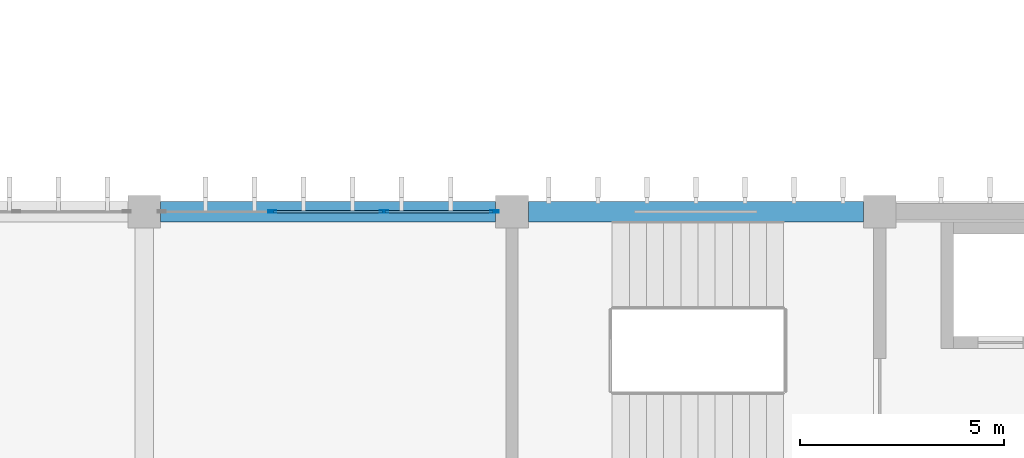
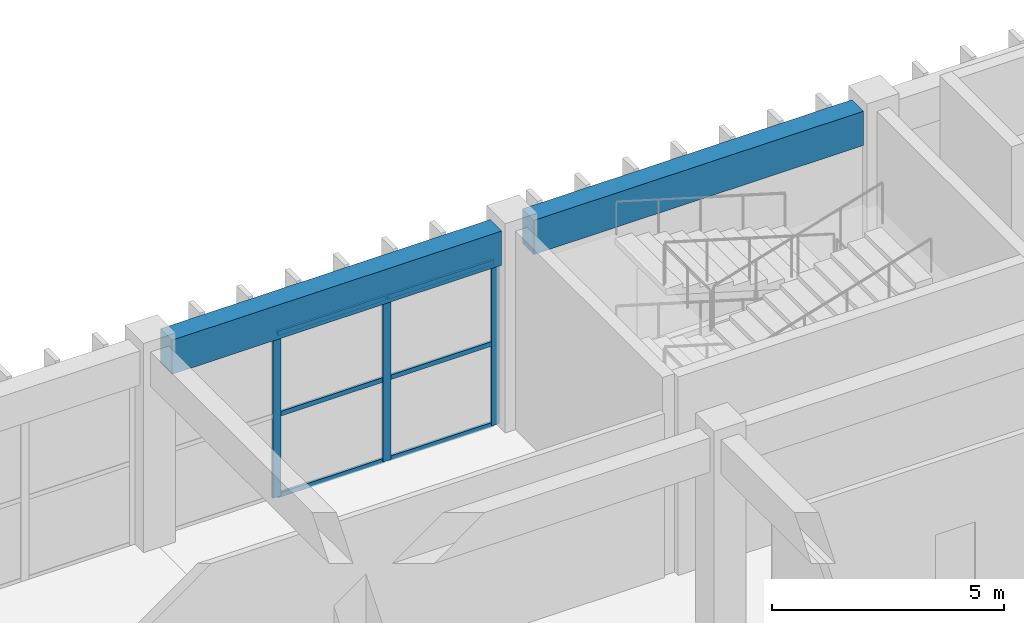
# One storey, part 218 of 437: 9 members, 2 beams, 1 element without a shape of its own.
"""IFC4 building model written with IfcOpenShell, lengths in metres."""

from ifc_helpers import new_model, si_unit, direction, frame, origin, origin_2d, place, context, subcontext, project, spatial, rectangle, hollow_rectangle, extrude, material, layer, layer_set, material_profile, profile_set, type_object, element, aggregate, save


model = new_model("IFC4")

# Units and contexts
model_context = context("Model", 3, precision=1e-05, world=origin(), true_north=direction((0.0, 1.0)))
body_context = subcontext(model_context, "Body", "Model", "MODEL_VIEW")
ifc_project = project(units=[si_unit("LENGTHUNIT", "METRE"), si_unit("AREAUNIT", "SQUARE_METRE"), si_unit("VOLUMEUNIT", "CUBIC_METRE"), si_unit("PLANEANGLEUNIT", "RADIAN"), si_unit("MASSUNIT", "GRAM", prefix="KILO")], contexts=[model_context])

# Site, building, storey
site_placement = place(None, origin())
site = spatial("IfcSite", under=ifc_project, at=site_placement, CompositionType="ELEMENT")
building_placement = place(site_placement, origin())
building = spatial("IfcBuilding", under=site, at=building_placement, Name="Opaline Strait Convention Centre", CompositionType="ELEMENT")
storey_placement = place(building_placement, frame((0.0, 0.0, 11.5)))
storey = spatial("IfcBuildingStorey", under=building, at=storey_placement, Name="L02", CompositionType="ELEMENT", Elevation=11.5)

# Curtain wall, members
ifc_material_1 = material(Name="Aluminium framed double glazing", Category="aluminium")
ifc_layer = layer(ifc_material_1, 0.199951171875)
ifc_layer_set = layer_set([ifc_layer], Name="Aluminium framed double glazing")
curtain_wall_type = type_object("IfcCurtainWallType", Name="Curtain wall 3000 module unitised", PredefinedType="NOTDEFINED", material=ifc_layer_set)
curtain_wall_placement = place(storey_placement, origin())
curtain_wall = element("IfcCurtainWall", 1, at=curtain_wall_placement, inside=storey, type_object=curtain_wall_type, Name="Curtain wall N L02 37/W", PredefinedType="NOTDEFINED")
ifc_material_2 = material(Name="Aluminium alloy 6063", Category="aluminium")
ifc_material_profile_1 = material_profile(ifc_material_2, hollow_rectangle(XDim=0.06005859375, YDim=0.199951171875, WallThickness=0.00390625, at=origin_2d()), Name="MULLION 60x200x4")
ifc_profile_set_1 = profile_set([ifc_material_profile_1], Name="Aluminium alloy 6063")
member_type_1 = type_object("IfcMemberType", Name="Curtain wall mullion 60 x 200", PredefinedType="MULLION", material=ifc_profile_set_1)
member_1_placement = place(storey_placement, frame((327.13330078125, 180.0, 0.0), z_axis=(0.0, 0.0, 1.0), x_axis=(0.0, 1.0, 0.0)))
member_1 = element("IfcMember", 2, at=member_1_placement, type_object=member_type_1, Name="MCWR1 mullion 2", PredefinedType="MULLION", context=body_context, shape_type="SweptSolid", body=[
    extrude(hollow_rectangle(XDim=0.06005859375, YDim=0.199951171875, WallThickness=0.00390625, at=origin_2d()), origin(), (0.0, 0.0, 1.0), 4.320068359375),
])
member_2_placement = place(storey_placement, frame((329.86669921875, 180.0, 0.0), z_axis=(0.0, 0.0, 1.0), x_axis=(0.0, 1.0, 0.0)))
member_2 = element("IfcMember", 3, at=member_2_placement, type_object=member_type_1, Name="MCWR1 mullion 3", PredefinedType="MULLION", context=body_context, shape_type="SweptSolid", body=[
    extrude(hollow_rectangle(XDim=0.06005859375, YDim=0.199951171875, WallThickness=0.00390625, at=origin_2d()), origin(), (0.0, 0.0, 1.0), 4.320068359375),
])
member_3_placement = place(storey_placement, frame((332.570068359375, 180.0, 0.0), z_axis=(0.0, 0.0, 1.0), x_axis=(0.0, 1.0, 0.0)))
member_3 = element("IfcMember", 4, at=member_3_placement, type_object=member_type_1, Name="MCWR1 mullion 4", PredefinedType="MULLION", context=body_context, shape_type="SweptSolid", body=[
    extrude(hollow_rectangle(XDim=0.06005859375, YDim=0.199951171875, WallThickness=0.00390625, at=origin_2d()), origin(), (0.0, 0.0, 1.0), 4.320068359375),
])
ifc_material_profile_2 = material_profile(ifc_material_2, hollow_rectangle(XDim=0.06005859375, YDim=0.1201171875, WallThickness=0.0029296875, at=origin_2d()), Name="TRANSOM 60x120x3")
ifc_profile_set_2 = profile_set([ifc_material_profile_2], Name="Aluminium alloy 6063")
member_type_2 = type_object("IfcMemberType", Name="Curtain wall transom 60 x 120", PredefinedType="USERDEFINED", material=ifc_profile_set_2)
member_4_placement = place(storey_placement, frame((327.163330078125, 180.0, 0.030029296875), z_axis=(1.0, 0.0, 0.0), x_axis=(0.0, 1.0, 0.0)))
member_4 = element("IfcMember", 5, at=member_4_placement, type_object=member_type_2, Name="MCWR1 transom 2.1", ObjectType="TRANSOM", PredefinedType="USERDEFINED", context=body_context, shape_type="SweptSolid", body=[
    extrude(hollow_rectangle(XDim=0.06005859375, YDim=0.1201171875, WallThickness=0.0029296875, at=origin_2d()), origin(), (0.0, 0.0, 1.0), 2.67333984375),
])
member_5_placement = place(storey_placement, frame((327.163330078125, 180.0, 2.159912109375), z_axis=(1.0, 0.0, 0.0), x_axis=(0.0, 1.0, 0.0)))
member_5 = element("IfcMember", 6, at=member_5_placement, type_object=member_type_2, Name="MCWR1 transom 2.2", ObjectType="TRANSOM", PredefinedType="USERDEFINED", context=body_context, shape_type="SweptSolid", body=[
    extrude(hollow_rectangle(XDim=0.06005859375, YDim=0.1201171875, WallThickness=0.0029296875, at=origin_2d()), origin(), (0.0, 0.0, 1.0), 2.67333984375),
])
member_6_placement = place(storey_placement, frame((327.163330078125, 180.0, 4.2900390625), z_axis=(1.0, 0.0, 0.0), x_axis=(0.0, 1.0, 0.0)))
member_6 = element("IfcMember", 7, at=member_6_placement, type_object=member_type_2, Name="MCWR1 transom 2.3", ObjectType="TRANSOM", PredefinedType="USERDEFINED", context=body_context, shape_type="SweptSolid", body=[
    extrude(hollow_rectangle(XDim=0.06005859375, YDim=0.1201171875, WallThickness=0.0029296875, at=origin_2d()), origin(), (0.0, 0.0, 1.0), 2.67333984375),
])
member_7_placement = place(storey_placement, frame((329.896728515625, 180.0, 0.030029296875), z_axis=(1.0, 0.0, 0.0), x_axis=(0.0, 1.0, 0.0)))
member_7 = element("IfcMember", 8, at=member_7_placement, type_object=member_type_2, Name="MCWR1 transom 3.1", ObjectType="TRANSOM", PredefinedType="USERDEFINED", context=body_context, shape_type="SweptSolid", body=[
    extrude(hollow_rectangle(XDim=0.06005859375, YDim=0.1201171875, WallThickness=0.0029296875, at=origin_2d()), origin(), (0.0, 0.0, 1.0), 2.643310546875),
])
member_8_placement = place(storey_placement, frame((329.896728515625, 180.0, 2.159912109375), z_axis=(1.0, 0.0, 0.0), x_axis=(0.0, 1.0, 0.0)))
member_8 = element("IfcMember", 9, at=member_8_placement, type_object=member_type_2, Name="MCWR1 transom 3.2", ObjectType="TRANSOM", PredefinedType="USERDEFINED", context=body_context, shape_type="SweptSolid", body=[
    extrude(hollow_rectangle(XDim=0.06005859375, YDim=0.1201171875, WallThickness=0.0029296875, at=origin_2d()), origin(), (0.0, 0.0, 1.0), 2.643310546875),
])
member_9_placement = place(storey_placement, frame((329.896728515625, 180.0, 4.2900390625), z_axis=(1.0, 0.0, 0.0), x_axis=(0.0, 1.0, 0.0)))
member_9 = element("IfcMember", 10, at=member_9_placement, type_object=member_type_2, Name="MCWR1 transom 3.3", ObjectType="TRANSOM", PredefinedType="USERDEFINED", context=body_context, shape_type="SweptSolid", body=[
    extrude(hollow_rectangle(XDim=0.06005859375, YDim=0.1201171875, WallThickness=0.0029296875, at=origin_2d()), origin(), (0.0, 0.0, 1.0), 2.643310546875),
])
aggregate(curtain_wall, [member_1, member_2, member_3, member_4, member_5, member_6, member_7, member_8, member_9])

# Beams
ifc_material_3 = material(Name="Concrete C35", Category="concrete")
ifc_material_profile_3 = material_profile(ifc_material_3, rectangle(XDim=0.5, YDim=0.89990234375, at=origin_2d()), Name="RC 500x900")
ifc_profile_set_3 = profile_set([ifc_material_profile_3], Name="Concrete C35")
beam_type = type_object("IfcBeamType", Name="RC edge beam 500x900 C35", PredefinedType="BEAM", material=ifc_profile_set_3)
for number, where, z_axis, x_axis, name in (
    (11, (324.39990234375, 180.0, 4.77001953125), (1.0, 0.0, 0.0), (0.0, 1.0, 0.0), "MRB2 L02 37/W-38/W"),
    (12, (333.39990234375, 180.0, 4.77001953125), (1.0, 0.0, 0.0), (0.0, 1.0, 0.0), "MRB2 L02 38/W-39/W"),
):
    element("IfcBeam", number, at=place(storey_placement, frame(where, z_axis=z_axis, x_axis=x_axis)), inside=storey, type_object=beam_type, Name=name, PredefinedType="BEAM", context=body_context, shape_type="SweptSolid", body=[
        extrude(rectangle(XDim=0.5, YDim=0.89990234375, at=origin_2d()), origin(), (0.0, 0.0, 1.0), 8.2001953125),
    ])

save(model, "model.ifc")
